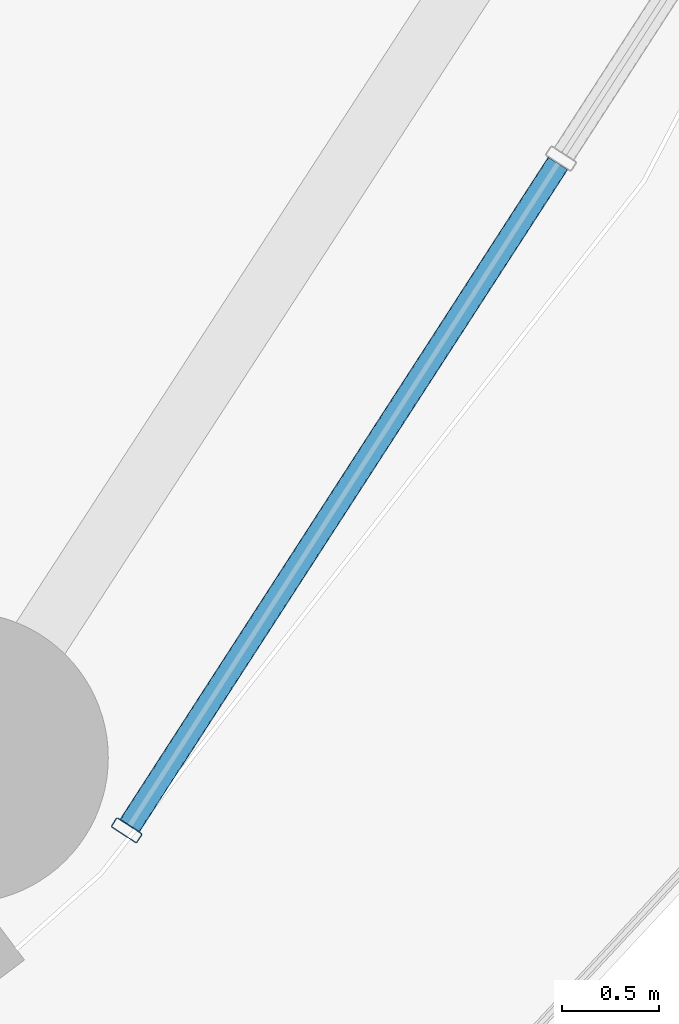
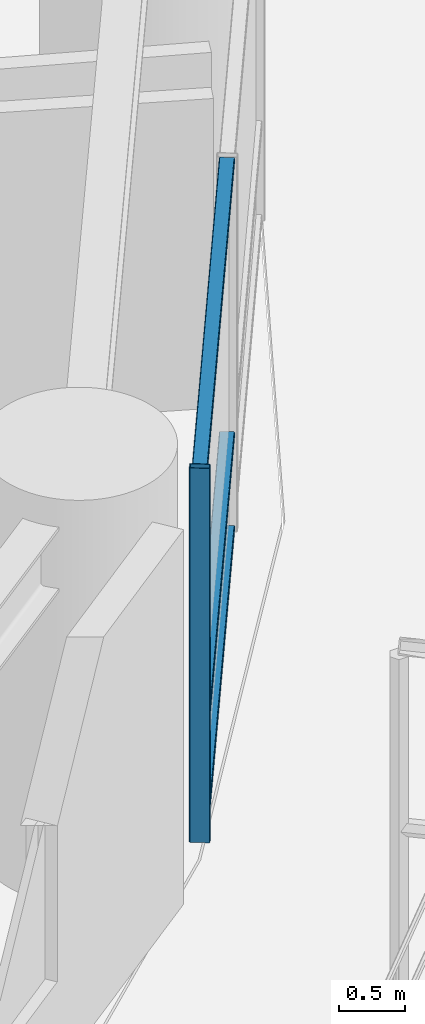
# One storey, part 10 of 34: 4 members, 1 element without a shape of its own.
"""IFC4 building model written with IfcOpenShell, lengths in metres."""

from ifc_helpers import new_model, si_unit, direction, frame, origin, origin_2d, place, context, subcontext, project, spatial, hollow_rectangle, extrude, material, layer, layer_set, material_profile, profile_set, type_object, element, aggregate, save


model = new_model("IFC4")

# Units and contexts
model_context = context("Model", 3, precision=1e-05, world=origin(), true_north=direction((0.0, 1.0)))
body_context = subcontext(model_context, "Body", "Model", "MODEL_VIEW")
ifc_project = project(units=[si_unit("LENGTHUNIT", "METRE"), si_unit("AREAUNIT", "SQUARE_METRE"), si_unit("VOLUMEUNIT", "CUBIC_METRE"), si_unit("PLANEANGLEUNIT", "RADIAN"), si_unit("MASSUNIT", "GRAM", prefix="KILO")], contexts=[model_context])

# Site, building, storey
site_placement = place(None, origin())
site = spatial("IfcSite", under=ifc_project, at=site_placement, CompositionType="ELEMENT")
building_placement = place(site_placement, origin())
building = spatial("IfcBuilding", under=site, at=building_placement, Name="Kelanora Arch Commons", CompositionType="ELEMENT")
storey_placement = place(building_placement, frame((0.0, 0.0, 30.0)))
storey = spatial("IfcBuildingStorey", under=building, at=storey_placement, Name="L07", CompositionType="ELEMENT", Elevation=30.0)

# Curtain wall, members
ifc_material_1 = material(Name="Terracotta ceramic-fritted low-E glass and aluminium", Category="masonry")
ifc_layer = layer(ifc_material_1, 0.159912109375)
ifc_layer_set = layer_set([ifc_layer], Name="Terracotta ceramic-fritted low-E glass and aluminium")
curtain_wall_type = type_object("IfcCurtainWallType", Name="CW-SYS-01", PredefinedType="NOTDEFINED", material=ifc_layer_set)
curtain_wall_placement = place(storey_placement, origin())
curtain_wall = element("IfcCurtainWall", 1, at=curtain_wall_placement, inside=storey, type_object=curtain_wall_type, Name="Unitised Curtain Wall L07-B16", PredefinedType="NOTDEFINED")
ifc_material_2 = material(Name="Powder-coated aluminium terracotta", Category="masonry")
ifc_material_profile_1 = material_profile(ifc_material_2, hollow_rectangle(XDim=0.159912109375, YDim=0.06005859375, WallThickness=0.0048828125, InnerFilletRadius=0.0048828125, OuterFilletRadius=0.010009765625, at=origin_2d()), Name="CWM160x60")
ifc_profile_set_1 = profile_set([ifc_material_profile_1], Name="Powder-coated aluminium terracotta")
member_type_1 = type_object("IfcMemberType", Name="CWM-STD", PredefinedType="MULLION", material=ifc_profile_set_1)
member_1_placement = place(storey_placement, frame((95.58935546875, 42.14697265625, 0.0), z_axis=(0.0, 0.0, 1.0), x_axis=(-0.83972982332, 0.543004441812, 0.0)))
member_1 = element("IfcMember", 2, at=member_1_placement, type_object=member_type_1, Name="CW-01 mullion 1", PredefinedType="MULLION", context=body_context, shape_type="SweptSolid", body=[
    extrude(hollow_rectangle(XDim=0.159912109375, YDim=0.06005859375, WallThickness=0.0048828125, InnerFilletRadius=0.0048828125, OuterFilletRadius=0.010009765625, at=origin_2d()), origin(), (0.0, 0.0, 1.0), 3.47509765625),
])
ifc_material_profile_2 = material_profile(ifc_material_2, hollow_rectangle(XDim=0.1201171875, YDim=0.06005859375, WallThickness=0.0048828125, InnerFilletRadius=0.0048828125, OuterFilletRadius=0.010009765625, at=origin_2d()), Name="CWT120x60")
ifc_profile_set_2 = profile_set([ifc_material_profile_2], Name="Powder-coated aluminium terracotta")
member_type_2 = type_object("IfcMemberType", Name="CWT-STD", PredefinedType="USERDEFINED", material=ifc_profile_set_2)
member_2_placement = place(storey_placement, frame((95.605712890625, 42.17236328125, 0.030029296875), z_axis=(0.542997414293, 0.839734367566, 0.0), x_axis=(-0.839734367566, 0.542997414293, 0.0)))
member_2 = element("IfcMember", 3, at=member_2_placement, type_object=member_type_2, Name="CW-01 transom 1.1", ObjectType="TRANSOM", PredefinedType="USERDEFINED", context=body_context, shape_type="SweptSolid", body=[
    extrude(hollow_rectangle(XDim=0.1201171875, YDim=0.06005859375, WallThickness=0.0048828125, InnerFilletRadius=0.0048828125, OuterFilletRadius=0.010009765625, at=origin_2d()), origin(), (0.0, 0.0, 1.0), 4.067626953125),
])
member_3_placement = place(storey_placement, frame((95.605712890625, 42.17236328125, 0.89990234375), z_axis=(0.542997414293, 0.839734367566, 0.0), x_axis=(-0.839734367566, 0.542997414293, 0.0)))
member_3 = element("IfcMember", 4, at=member_3_placement, type_object=member_type_2, Name="CW-01 transom 1.2", ObjectType="TRANSOM", PredefinedType="USERDEFINED", context=body_context, shape_type="SweptSolid", body=[
    extrude(hollow_rectangle(XDim=0.1201171875, YDim=0.06005859375, WallThickness=0.0048828125, InnerFilletRadius=0.0048828125, OuterFilletRadius=0.010009765625, at=origin_2d()), origin(), (0.0, 0.0, 1.0), 4.067626953125),
])
member_4_placement = place(storey_placement, frame((95.605712890625, 42.17236328125, 3.445068359375), z_axis=(0.542997414293, 0.839734367566, 0.0), x_axis=(-0.839734367566, 0.542997414293, 0.0)))
member_4 = element("IfcMember", 5, at=member_4_placement, type_object=member_type_2, Name="CW-01 transom 1.3", ObjectType="TRANSOM", PredefinedType="USERDEFINED", context=body_context, shape_type="SweptSolid", body=[
    extrude(hollow_rectangle(XDim=0.1201171875, YDim=0.06005859375, WallThickness=0.0048828125, InnerFilletRadius=0.0048828125, OuterFilletRadius=0.010009765625, at=origin_2d()), origin(), (0.0, 0.0, 1.0), 4.067626953125),
])
aggregate(curtain_wall, [member_1, member_2, member_3, member_4])

save(model, "model.ifc")
